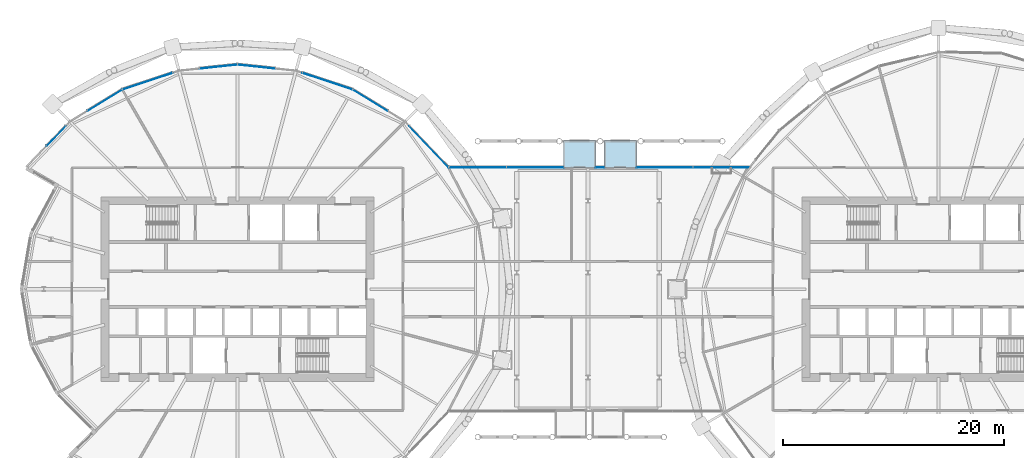
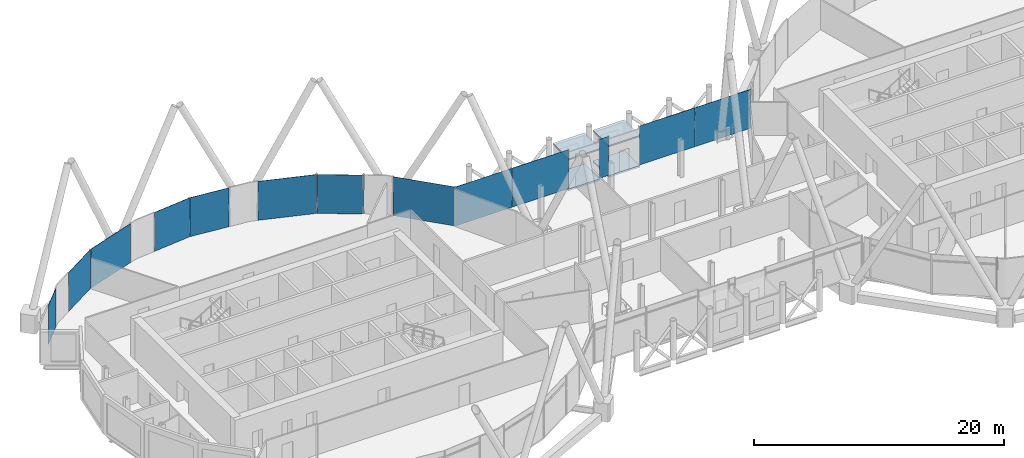
# One storey, part 22 of 35: 13 plates, 4 slabs, 2 elements without a shape of their own.
"""IFC4 building model written with IfcOpenShell, lengths in metres."""

from ifc_helpers import new_model, si_unit, direction, frame, origin, origin_2d, place, context, subcontext, project, spatial, polyline, rectangle, outline, extrude, material, layer, layer_set, type_object, element, aggregate, save


model = new_model("IFC4")

# Units and contexts
model_context = context("Model", 3, precision=1e-05, world=origin(), true_north=direction((0.0, 1.0)))
body_context = subcontext(model_context, "Body", "Model", "MODEL_VIEW")
ifc_project = project(units=[si_unit("LENGTHUNIT", "METRE"), si_unit("AREAUNIT", "SQUARE_METRE"), si_unit("VOLUMEUNIT", "CUBIC_METRE"), si_unit("PLANEANGLEUNIT", "RADIAN"), si_unit("MASSUNIT", "GRAM", prefix="KILO")], contexts=[model_context])

# Site, building, storey
site_placement = place(None, origin())
site = spatial("IfcSite", under=ifc_project, at=site_placement, CompositionType="ELEMENT")
building_placement = place(site_placement, origin())
building = spatial("IfcBuilding", under=site, at=building_placement, Name="Rimbun Link Towers", CompositionType="ELEMENT")
storey_placement = place(building_placement, frame((0.0, 0.0, 146.800048828125)))
storey = spatial("IfcBuildingStorey", under=building, at=storey_placement, Name="L35", CompositionType="ELEMENT", Elevation=146.800048828125)

# Slabs
ifc_material_1 = material(Name="Insulated metal floor panel on steel frame", Category="steel")
ifc_layer_1 = layer(ifc_material_1, 0.159912109375)
ifc_layer_set_1 = layer_set([ifc_layer_1], Name="CAPSULE floor panel 160")
slab_type_1 = type_object("IfcSlabType", Name="CAPSULE floor panel 160", PredefinedType="FLOOR", material=ifc_layer_set_1)
slab_1_placement = place(storey_placement, frame((0.0, 0.0, -0.219970703125)))
element("IfcSlab", 1, at=slab_1_placement, inside=storey, type_object=slab_type_1, Name="CAPSULE F35.01 floor panel", PredefinedType="FLOOR", context=body_context, shape_type="SweptSolid", body=[
    extrude(outline(polyline([(-2.203125, 11.0), (0.69677734375, 11.0), (0.69677734375, 13.449951171875), (-2.203125, 13.449951171875), (-2.203125, 11.0)])), origin(), (0.0, 0.0, 1.0), 0.159912109375),
])
slab_2_placement = place(storey_placement, frame((0.0, 0.0, -0.219970703125)))
element("IfcSlab", 2, at=slab_2_placement, inside=storey, type_object=slab_type_1, Name="CAPSULE F35.02 floor panel", PredefinedType="FLOOR", context=body_context, shape_type="SweptSolid", body=[
    extrude(outline(polyline([(1.48681640625, 11.0), (4.38671875, 11.0), (4.38671875, 13.449951171875), (1.48681640625, 13.449951171875), (1.48681640625, 11.0)])), origin(), (0.0, 0.0, 1.0), 0.159912109375),
])
ifc_material_2 = material(Name="Insulated metal roof panel with terracotta fascia", Category="masonry")
ifc_layer_2 = layer(ifc_material_2, 0.14990234375)
ifc_layer_set_2 = layer_set([ifc_layer_2], Name="CAPSULE roof panel 150")
slab_type_2 = type_object("IfcSlabType", Name="CAPSULE roof panel 150", PredefinedType="ROOF", material=ifc_layer_set_2)
slab_3_placement = place(storey_placement, frame((0.0, 0.0, 2.7900390625)))
element("IfcSlab", 3, at=slab_3_placement, inside=storey, type_object=slab_type_2, Name="CAPSULE F35.01 roof panel", PredefinedType="ROOF", context=body_context, shape_type="SweptSolid", body=[
    extrude(outline(polyline([(0.69677734375, 13.449951171875), (-2.203125, 13.449951171875), (-2.203125, 10.949951171875), (0.69677734375, 10.949951171875), (0.69677734375, 13.449951171875)])), origin(), (0.0, 0.0, 1.0), 0.14990234375),
])
slab_4_placement = place(storey_placement, frame((0.0, 0.0, 2.7900390625)))
element("IfcSlab", 4, at=slab_4_placement, inside=storey, type_object=slab_type_2, Name="CAPSULE F35.02 roof panel", PredefinedType="ROOF", context=body_context, shape_type="SweptSolid", body=[
    extrude(outline(polyline([(4.38671875, 13.449951171875), (1.48681640625, 13.449951171875), (1.48681640625, 10.949951171875), (4.38671875, 10.949951171875), (4.38671875, 13.449951171875)])), origin(), (0.0, 0.0, 1.0), 0.14990234375),
])

# Curtain wall, plate
ifc_material_3 = material(Name="Aluminium 6063-T6 and low-iron glass", Category="aluminium")
curtain_wall_type = type_object("IfcCurtainWallType", Name="CW4 link block wall", PredefinedType="NOTDEFINED", material=ifc_material_3)
curtain_wall_1_placement = place(storey_placement, origin())
curtain_wall_1 = element("IfcCurtainWall", 5, at=curtain_wall_1_placement, inside=storey, type_object=curtain_wall_type, Name="CW4 L35 LB", PredefinedType="NOTDEFINED")
ifc_material_4 = material(Name="Aluminium cladding, insulated panel", Category="aluminium")
ifc_layer_3 = layer(ifc_material_4, 0.028076171875)
ifc_layer_set_3 = layer_set([ifc_layer_3], Name="CW4 insulated panel Aluminium cladding 28")
plate_type_1 = type_object("IfcPlateType", Name="CW4 insulated panel Aluminium cladding 28", PredefinedType="CURTAIN_PANEL", material=ifc_layer_set_3)
plate_1_placement = place(storey_placement, frame((12.07958984375, 11.013916015625, 0.0), z_axis=(0.0, 0.0, 1.0), x_axis=(1.0, 0.0, 0.0)))
plate_1 = element("IfcPlate", 6, at=plate_1_placement, type_object=plate_type_1, Name="CW4 insulated panel", PredefinedType="CURTAIN_PANEL", context=body_context, shape_type="SweptSolid", body=[
    extrude(rectangle(XDim=5.1220703125, YDim=0.028076171875, at=origin_2d()), origin(), (0.0, 0.0, 1.0), 3.800048828125),
])

# Curtain wall, plates
curtain_wall_2_placement = place(storey_placement, origin())
curtain_wall_2 = element("IfcCurtainWall", 7, at=curtain_wall_2_placement, inside=storey, type_object=curtain_wall_type, Name="CW4 L35 T1", PredefinedType="NOTDEFINED")
ifc_material_5 = material(Name="Low-iron glass, laminated low-e unit", Category="glass")
ifc_layer_4 = layer(ifc_material_5, 0.028076171875)
ifc_layer_set_4 = layer_set([ifc_layer_4], Name="CW4 panel Low-iron glass 28")
plate_type_2 = type_object("IfcPlateType", Name="CW4 panel Low-iron glass 28", PredefinedType="CURTAIN_PANEL", material=ifc_layer_set_4)
plate_2_placement = place(storey_placement, frame((-14.419189453125, 12.90380859375, 0.0), z_axis=(0.0, 0.0, 1.0), x_axis=(0.692041109252, -0.721858090698, 0.0)))
plate_2 = element("IfcPlate", 8, at=plate_2_placement, type_object=plate_type_2, Name="CW4 panel", PredefinedType="CURTAIN_PANEL", context=body_context, shape_type="SweptSolid", body=[
    extrude(rectangle(XDim=5.12158203125, YDim=0.028076171875, at=origin_2d()), origin(), (0.0, 0.0, 1.0), 3.800048828125),
])
plate_3_placement = place(storey_placement, frame((-19.7197265625, 17.088623046875, 0.0), z_axis=(0.0, 0.0, 1.0), x_axis=(0.852194346217, -0.523225378089, 0.0)))
plate_3 = element("IfcPlate", 9, at=plate_3_placement, type_object=plate_type_2, Name="CW4 panel", PredefinedType="CURTAIN_PANEL", context=body_context, shape_type="SweptSolid", body=[
    extrude(rectangle(XDim=3.708740234375, YDim=0.028076171875, at=origin_2d()), origin(), (0.0, 0.0, 1.0), 3.800048828125),
])
plate_4_placement = place(storey_placement, frame((-23.60107421875, 18.82666015625, 0.0), z_axis=(0.0, 0.0, 1.0), x_axis=(0.949234953763, -0.314567961741, 0.0)))
plate_4 = element("IfcPlate", 10, at=plate_4_placement, type_object=plate_type_2, Name="CW4 panel", PredefinedType="CURTAIN_PANEL", context=body_context, shape_type="SweptSolid", body=[
    extrude(rectangle(XDim=4.765869140625, YDim=0.028076171875, at=origin_2d()), origin(), (0.0, 0.0, 1.0), 3.800048828125),
])
plate_5_placement = place(storey_placement, frame((-30.021484375, 20.147705078125, 0.0), z_axis=(0.0, 0.0, 1.0), x_axis=(0.994499069305, -0.104745411125, 0.0)))
plate_5 = element("IfcPlate", 11, at=plate_5_placement, type_object=plate_type_2, Name="CW4 panel", PredefinedType="CURTAIN_PANEL", context=body_context, shape_type="SweptSolid", body=[
    extrude(rectangle(XDim=3.433349609375, YDim=0.028076171875, at=origin_2d()), origin(), (0.0, 0.0, 1.0), 3.800048828125),
])
plate_6_placement = place(storey_placement, frame((-33.478515625, 20.147705078125, 0.0), z_axis=(0.0, 0.0, 1.0), x_axis=(0.994499069305, 0.104745411125, 0.0)))
plate_6 = element("IfcPlate", 12, at=plate_6_placement, type_object=plate_type_2, Name="CW4 panel", PredefinedType="CURTAIN_PANEL", context=body_context, shape_type="SweptSolid", body=[
    extrude(rectangle(XDim=3.433349609375, YDim=0.028076171875, at=origin_2d()), origin(), (0.0, 0.0, 1.0), 3.800048828125),
])
plate_7_placement = place(storey_placement, frame((-39.89892578125, 18.82666015625, 0.0), z_axis=(0.0, 0.0, 1.0), x_axis=(0.949234953763, 0.314567961741, 0.0)))
plate_7 = element("IfcPlate", 13, at=plate_7_placement, type_object=plate_type_2, Name="CW4 panel", PredefinedType="CURTAIN_PANEL", context=body_context, shape_type="SweptSolid", body=[
    extrude(rectangle(XDim=4.765869140625, YDim=0.028076171875, at=origin_2d()), origin(), (0.0, 0.0, 1.0), 3.800048828125),
])
plate_8_placement = place(storey_placement, frame((-43.7587890625, 17.101806640625, 0.0), z_axis=(0.0, 0.0, 1.0), x_axis=(0.852194346217, 0.523225378089, 0.0)))
plate_8 = element("IfcPlate", 14, at=plate_8_placement, type_object=plate_type_2, Name="CW4 panel", PredefinedType="CURTAIN_PANEL", context=body_context, shape_type="SweptSolid", body=[
    extrude(rectangle(XDim=3.658935546875, YDim=0.028076171875, at=origin_2d()), origin(), (0.0, 0.0, 1.0), 3.800048828125),
])
plate_9_placement = place(storey_placement, frame((-48.1640625, 13.8603515625, 0.0), z_axis=(0.0, 0.0, 1.0), x_axis=(0.692041109252, 0.721858090698, 0.0)))
plate_9 = element("IfcPlate", 15, at=plate_9_placement, type_object=plate_type_2, Name="CW4 panel", PredefinedType="CURTAIN_PANEL", context=body_context, shape_type="SweptSolid", body=[
    extrude(rectangle(XDim=2.471435546875, YDim=0.028076171875, at=origin_2d()), origin(), (0.0, 0.0, 1.0), 3.800048828125),
])
aggregate(curtain_wall_2, [plate_2, plate_3, plate_4, plate_5, plate_6, plate_7, plate_8, plate_9])

# Plate
plate_10_placement = place(storey_placement, frame((-10.008544921875, 11.013916015625, 0.0), z_axis=(0.0, 0.0, 1.0), x_axis=(1.0, 0.0, 0.0)))
plate_10 = element("IfcPlate", 16, at=plate_10_placement, type_object=plate_type_2, Name="CW4 panel", PredefinedType="CURTAIN_PANEL", context=body_context, shape_type="SweptSolid", body=[
    extrude(rectangle(XDim=5.197021484375, YDim=0.028076171875, at=origin_2d()), origin(), (0.0, 0.0, 1.0), 3.800048828125),
])

plate_11_placement = place(storey_placement, frame((-4.771728515625, 11.013916015625, 0.0), z_axis=(0.0, 0.0, 1.0), x_axis=(1.0, 0.0, 0.0)))
plate_11 = element("IfcPlate", 17, at=plate_11_placement, type_object=plate_type_2, Name="CW4 panel", PredefinedType="CURTAIN_PANEL", context=body_context, shape_type="SweptSolid", body=[
    extrude(rectangle(XDim=5.197021484375, YDim=0.028076171875, at=origin_2d()), origin(), (0.0, 0.0, 1.0), 3.800048828125),
])

plate_12_placement = place(storey_placement, frame((1.091796875, 11.013916015625, 0.0), z_axis=(0.0, 0.0, 1.0), x_axis=(1.0, 0.0, 0.0)))
plate_12 = element("IfcPlate", 18, at=plate_12_placement, type_object=plate_type_2, Name="CW4 panel", PredefinedType="CURTAIN_PANEL", context=body_context, shape_type="SweptSolid", body=[
    extrude(rectangle(XDim=0.849853515625, YDim=0.028076171875, at=origin_2d()), origin(), (0.0, 0.0, 1.0), 3.800048828125),
])

plate_13_placement = place(storey_placement, frame((6.917724609375, 11.013916015625, 0.0), z_axis=(0.0, 0.0, 1.0), x_axis=(1.0, 0.0, 0.0)))
plate_13 = element("IfcPlate", 19, at=plate_13_placement, type_object=plate_type_2, Name="CW4 panel", PredefinedType="CURTAIN_PANEL", context=body_context, shape_type="SweptSolid", body=[
    extrude(rectangle(XDim=5.1220703125, YDim=0.028076171875, at=origin_2d()), origin(), (0.0, 0.0, 1.0), 3.800048828125),
])

aggregate(curtain_wall_1, [plate_10, plate_11, plate_12, plate_13, plate_1])

save(model, "model.ifc")
